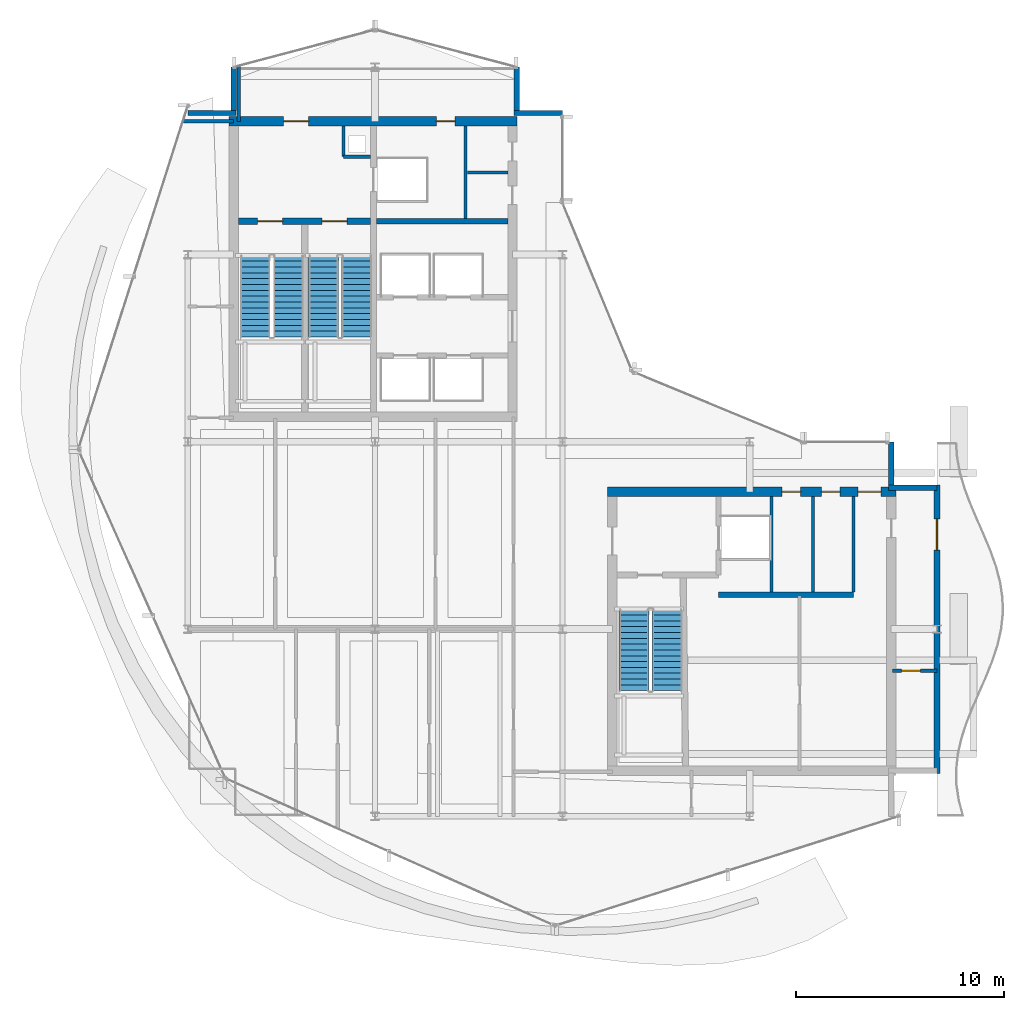
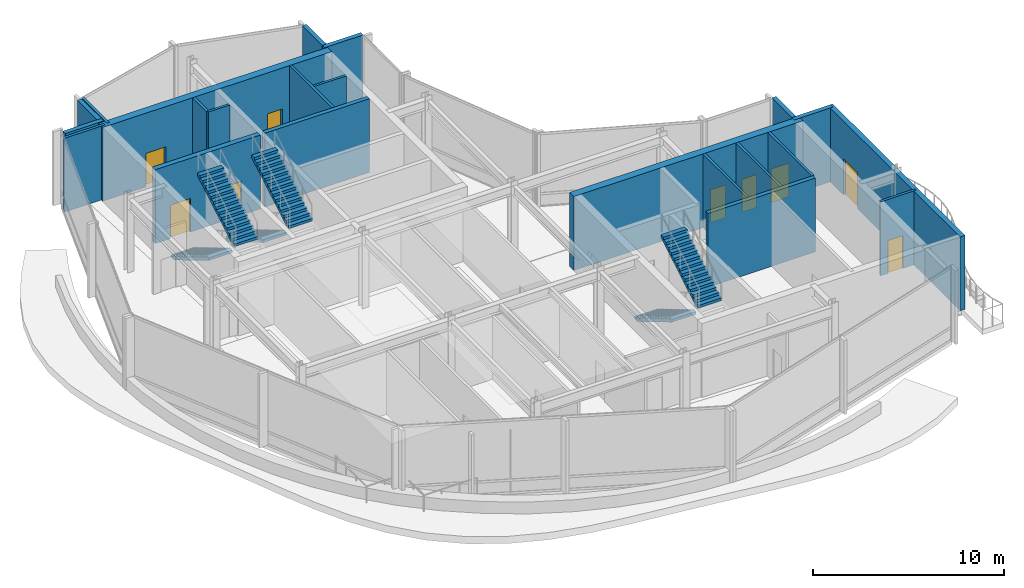
# One storey, part 18 of 23: 22 walls, 9 doors, 6 stair flights, 9 openings, 3 elements without a shape of their own.
"""IFC4 building model written with IfcOpenShell, lengths in metres."""

from ifc_helpers import new_model, si_unit, direction, frame, frame_2d, origin, place, context, subcontext, project, spatial, polyline, rectangle, outline, extrude, material, layer, layer_set, type_object, element, fill, aggregate, save


model = new_model("IFC4")

# Units and contexts
model_context = context("Model", 3, precision=1e-05, world=origin(), true_north=direction((0.0, 1.0)))
body_context = subcontext(model_context, "Body", "Model", "MODEL_VIEW")
ifc_project = project(units=[si_unit("LENGTHUNIT", "METRE"), si_unit("AREAUNIT", "SQUARE_METRE"), si_unit("VOLUMEUNIT", "CUBIC_METRE"), si_unit("PLANEANGLEUNIT", "RADIAN"), si_unit("MASSUNIT", "GRAM", prefix="KILO")], contexts=[model_context])

# Site, building, storey
site_placement = place(None, origin())
site = spatial("IfcSite", under=ifc_project, at=site_placement, CompositionType="ELEMENT")
building_placement = place(site_placement, origin())
building = spatial("IfcBuilding", under=site, at=building_placement, Name="Solvaryn Broadcast Tower", CompositionType="ELEMENT")
storey_placement = place(building_placement, frame((0.0, 0.0, 235.800048828125)))
storey = spatial("IfcBuildingStorey", under=building, at=storey_placement, Name="L59", CompositionType="ELEMENT", Elevation=235.800048828125)

# Wall, openings, doors
ifc_material_1 = material(Name="Concrete f'c 70 MPa", Category="concrete")
ifc_layer_1 = layer(ifc_material_1, 0.449951171875)
ifc_layer_set_1 = layer_set([ifc_layer_1], Name="CW-SHEAR-450")
wall_type_1 = type_object("IfcWallType", Name="CW-SHEAR-450", PredefinedType="SHEAR", material=ifc_layer_set_1)
wall_1_placement = place(storey_placement, frame((24.824951171875, 42.39990234375, 0.0), z_axis=(0.0, 0.0, 1.0), x_axis=(-1.0, 0.0, 0.0)))
wall_1 = element("IfcWall", 1, at=wall_1_placement, inside=storey, type_object=wall_type_1, Name="L59 West Core North Shear Wall", PredefinedType="SHEAR", context=body_context, shape_type="SweptSolid", body=[
    extrude(rectangle(XDim=13.849853515625, YDim=0.449951171875, at=frame_2d((6.9248046875, 0.0))), origin(), (0.0, 0.0, 1.0), 4.719970703125),
])
opening_1_placement = place(wall_1_placement, frame((10.02490234375, 0.0, 0.0)))
opening_1 = element("IfcOpeningElement", 2, at=opening_1_placement, cuts=wall_1, Name="Opening FD90A", PredefinedType="OPENING", context=body_context, shape_type="SweptSolid", body=[
    extrude(rectangle(XDim=1.199951171875, YDim=2.14990234375, at=frame_2d((0.60009765625, 1.074951171875))), frame((0.0, 0.235107421875, 0.0), z_axis=(0.0, -1.0, 0.0), x_axis=(1.0, 0.0, 0.0)), (0.0, 0.0, 1.0), 0.469970703125),
])
opening_2_placement = place(wall_1_placement, frame((2.97509765625, 0.0, 0.0)))
opening_2 = element("IfcOpeningElement", 3, at=opening_2_placement, cuts=wall_1, Name="Opening FD60C", PredefinedType="OPENING", context=body_context, shape_type="SweptSolid", body=[
    extrude(rectangle(XDim=0.89990234375, YDim=2.10009765625, at=frame_2d((0.449951171875, 1.050048828125))), frame((0.0, 0.235107421875, 0.0), z_axis=(0.0, -1.0, 0.0), x_axis=(1.0, 0.0, 0.0)), (0.0, 0.0, 1.0), 0.469970703125),
])
ifc_material_2 = material(Name="Flush Acoustic Steel and Timber Door Assembly", Category="steel")
door_type_1 = type_object("IfcDoorType", Name="FD60-SERV-900X2100", OperationType="NOTDEFINED", PredefinedType="DOOR", material=ifc_material_2)
door_1_placement = place(opening_2_placement, origin())
door_1 = element("IfcDoor", 4, at=door_1_placement, inside=storey, type_object=door_type_1, Name="L59 West Core Fiber Riser Door", OperationType="SINGLE_SWING_RIGHT", OverallHeight=2.10009765625, OverallWidth=0.89990234375, PredefinedType="DOOR", context=body_context, shape_type="SweptSolid", body=[
    extrude(rectangle(XDim=0.89990234375, YDim=2.10009765625, at=frame_2d((0.449951171875, 1.050048828125))), frame((0.0, 0.02490234375, 0.0), z_axis=(0.0, -1.0, 0.0), x_axis=(1.0, 0.0, 0.0)), (0.0, 0.0, 1.0), 0.050048828125),
])
fill(opening_2, door_1)
ifc_material_3 = material(Name="Flush Acoustic Steel and Timber Door Assembly", Category="steel")
door_type_2 = type_object("IfcDoorType", Name="FD90-STAIR-1200X2150", OperationType="NOTDEFINED", PredefinedType="DOOR", material=ifc_material_3)
door_2_placement = place(opening_1_placement, origin())
door_2 = element("IfcDoor", 5, at=door_2_placement, inside=storey, type_object=door_type_2, Name="L59 West FSAE Lobby Corridor Door", OperationType="SINGLE_SWING_LEFT", OverallHeight=2.14990234375, OverallWidth=1.199951171875, PredefinedType="DOOR", context=body_context, shape_type="SweptSolid", body=[
    extrude(rectangle(XDim=1.199951171875, YDim=2.14990234375, at=frame_2d((0.60009765625, 1.074951171875))), frame((0.0, 0.02490234375, 0.0), z_axis=(0.0, -1.0, 0.0), x_axis=(1.0, 0.0, 0.0)), (0.0, 0.0, 1.0), 0.050048828125),
])
fill(opening_1, door_2)

wall_2_placement = place(storey_placement, frame((43.02490234375, 24.60009765625, 0.0), z_axis=(0.0, 0.0, 1.0), x_axis=(-1.0, 0.0, 0.0)))
wall_2 = element("IfcWall", 6, at=wall_2_placement, inside=storey, type_object=wall_type_1, Name="L59 East Core North Shear Wall", PredefinedType="SHEAR", context=body_context, shape_type="SweptSolid", body=[
    extrude(rectangle(XDim=13.849853515625, YDim=0.449951171875, at=frame_2d((6.9248046875, 0.0))), origin(), (0.0, 0.0, 1.0), 4.719970703125),
])
opening_3_placement = place(wall_2_placement, frame((0.72509765625, 0.0, 0.0)))
opening_3 = element("IfcOpeningElement", 7, at=opening_3_placement, cuts=wall_2, Name="Opening FD90C", PredefinedType="OPENING", context=body_context, shape_type="SweptSolid", body=[
    extrude(rectangle(XDim=1.10009765625, YDim=2.14990234375, at=frame_2d((0.550048828125, 1.074951171875))), frame((0.0, 0.235107421875, 0.0), z_axis=(0.0, -1.0, 0.0), x_axis=(1.0, 0.0, 0.0)), (0.0, 0.0, 1.0), 0.469970703125),
])
opening_4_placement = place(wall_2_placement, frame((2.675048828125, 0.0, 0.0)))
opening_4 = element("IfcOpeningElement", 8, at=opening_4_placement, cuts=wall_2, Name="Opening FD60C", PredefinedType="OPENING", context=body_context, shape_type="SweptSolid", body=[
    extrude(rectangle(XDim=0.89990234375, YDim=2.10009765625, at=frame_2d((0.449951171875, 1.050048828125))), frame((0.0, 0.235107421875, 0.0), z_axis=(0.0, -1.0, 0.0), x_axis=(1.0, 0.0, 0.0)), (0.0, 0.0, 1.0), 0.469970703125),
])
opening_5_placement = place(wall_2_placement, frame((4.574951171875, 0.0, 0.0)))
opening_5 = element("IfcOpeningElement", 9, at=opening_5_placement, cuts=wall_2, Name="Opening FD60C", PredefinedType="OPENING", context=body_context, shape_type="SweptSolid", body=[
    extrude(rectangle(XDim=0.89990234375, YDim=2.10009765625, at=frame_2d((0.449951171875, 1.050048828125))), frame((0.0, 0.235107421875, 0.0), z_axis=(0.0, -1.0, 0.0), x_axis=(1.0, 0.0, 0.0)), (0.0, 0.0, 1.0), 0.469970703125),
])
door_3_placement = place(opening_4_placement, origin())
door_3 = element("IfcDoor", 10, at=door_3_placement, inside=storey, type_object=door_type_1, Name="L59 Staff Restroom Door", OperationType="SINGLE_SWING_LEFT", OverallHeight=2.10009765625, OverallWidth=0.89990234375, PredefinedType="DOOR", context=body_context, shape_type="SweptSolid", body=[
    extrude(rectangle(XDim=0.89990234375, YDim=2.10009765625, at=frame_2d((0.449951171875, 1.050048828125))), frame((0.0, 0.02490234375, 0.0), z_axis=(0.0, -1.0, 0.0), x_axis=(1.0, 0.0, 0.0)), (0.0, 0.0, 1.0), 0.050048828125),
])
fill(opening_4, door_3)
door_4_placement = place(opening_5_placement, origin())
door_4 = element("IfcDoor", 11, at=door_4_placement, inside=storey, type_object=door_type_1, Name="L59 Accessible WC Door", OperationType="SINGLE_SWING_RIGHT", OverallHeight=2.10009765625, OverallWidth=0.89990234375, PredefinedType="DOOR", context=body_context, shape_type="SweptSolid", body=[
    extrude(rectangle(XDim=0.89990234375, YDim=2.10009765625, at=frame_2d((0.449951171875, 1.050048828125))), frame((0.0, 0.02490234375, 0.0), z_axis=(0.0, -1.0, 0.0), x_axis=(1.0, 0.0, 0.0)), (0.0, 0.0, 1.0), 0.050048828125),
])
fill(opening_5, door_4)
ifc_material_4 = material(Name="Flush Acoustic Steel and Timber Door Assembly", Category="steel")
door_type_3 = type_object("IfcDoorType", Name="FD90-PLANT-1100X2150", OperationType="NOTDEFINED", PredefinedType="DOOR", material=ifc_material_4)
door_5_placement = place(opening_3_placement, origin())
door_5 = element("IfcDoor", 12, at=door_5_placement, inside=storey, type_object=door_type_3, Name="L59 East Core Lobby Corridor Door", OperationType="SINGLE_SWING_LEFT", OverallHeight=2.14990234375, OverallWidth=1.10009765625, PredefinedType="DOOR", context=body_context, shape_type="SweptSolid", body=[
    extrude(rectangle(XDim=1.10009765625, YDim=2.14990234375, at=frame_2d((0.550048828125, 1.074951171875))), frame((0.0, 0.02490234375, 0.0), z_axis=(0.0, -1.0, 0.0), x_axis=(1.0, 0.0, 0.0)), (0.0, 0.0, 1.0), 0.050048828125),
])
fill(opening_3, door_5)

# Walls
ifc_material_5 = material(Name="Concrete f'c 50 MPa", Category="concrete")
ifc_layer_2 = layer(ifc_material_5, 0.260009765625)
ifc_layer_set_2 = layer_set([ifc_layer_2], Name="EW-PIER-260")
wall_type_2 = type_object("IfcWallType", Name="EW-PIER-260", PredefinedType="SOLIDWALL", material=ifc_layer_set_2)
wall_3_placement = place(storey_placement, frame((9.0, 42.800048828125, 0.0), z_axis=(0.0, 0.0, 1.0), x_axis=(1.0, 0.0, 0.0)))
element("IfcWall", 13, at=wall_3_placement, inside=storey, type_object=wall_type_2, Name="L59 Notched Corner Pier Wall NNW1", PredefinedType="SOLIDWALL", context=body_context, shape_type="SweptSolid", body=[
    extrude(rectangle(XDim=2.320068359375, YDim=0.260009765625, at=frame_2d((1.16015625, 0.0))), origin(), (0.0, 0.0, 1.0), 4.719970703125),
])
for number, where, z_axis, x_axis, name in (
    (14, (11.199951171875, 42.919921875, 0.0), (0.0, 0.0, 1.0), (0.0, 1.0, 0.0), "L59 Notched Corner Pier Wall NNW2"),
    (15, (24.800048828125, 45.0, 0.0), (0.0, 0.0, 1.0), (0.0, -1.0, 0.0), "L59 Notched Corner Pier Wall NNE1"),
):
    element("IfcWall", number, at=place(storey_placement, frame(where, z_axis=z_axis, x_axis=x_axis)), inside=storey, type_object=wall_type_2, Name=name, PredefinedType="SOLIDWALL", context=body_context, shape_type="SweptSolid", body=[
        extrude(rectangle(XDim=2.080078125, YDim=0.260009765625, at=frame_2d((1.0400390625, 0.0))), origin(), (0.0, 0.0, 1.0), 4.719970703125),
    ])
for number, where, z_axis, x_axis, name in (
    (16, (24.679931640625, 42.800048828125, 0.0), (0.0, 0.0, 1.0), (1.0, 0.0, 0.0), "L59 Notched Corner Pier Wall NNE2"),
    (17, (45.0, 24.800048828125, 0.0), (0.0, 0.0, 1.0), (-1.0, 0.0, 0.0), "L59 Notched Corner Pier Wall NEE1"),
):
    element("IfcWall", number, at=place(storey_placement, frame(where, z_axis=z_axis, x_axis=x_axis)), inside=storey, type_object=wall_type_2, Name=name, PredefinedType="SOLIDWALL", context=body_context, shape_type="SweptSolid", body=[
        extrude(rectangle(XDim=2.320068359375, YDim=0.260009765625, at=frame_2d((1.16015625, 0.0))), origin(), (0.0, 0.0, 1.0), 4.719970703125),
    ])
wall_4_placement = place(storey_placement, frame((42.800048828125, 24.919921875, 0.0), z_axis=(0.0, 0.0, 1.0), x_axis=(0.0, 1.0, 0.0)))
element("IfcWall", 18, at=wall_4_placement, inside=storey, type_object=wall_type_2, Name="L59 Notched Corner Pier Wall NEE2", PredefinedType="SOLIDWALL", context=body_context, shape_type="SweptSolid", body=[
    extrude(rectangle(XDim=2.080078125, YDim=0.260009765625, at=frame_2d((1.0400390625, 0.0))), origin(), (0.0, 0.0, 1.0), 4.719970703125),
])

# Wall, opening, door
ifc_material_6 = material(Name="Concrete f'c 50 MPa", Category="concrete")
ifc_layer_3 = layer(ifc_material_6, 0.300048828125)
ifc_layer_set_3 = layer_set([ifc_layer_3], Name="EW-TER-300")
wall_type_3 = type_object("IfcWallType", Name="EW-TER-300", PredefinedType="SOLIDWALL", material=ifc_layer_set_3)
wall_5_placement = place(storey_placement, frame((45.0, 24.929931640625, 0.0), z_axis=(0.0, 0.0, 1.0), x_axis=(0.0, -1.0, 0.0)))
wall_5 = element("IfcWall", 19, at=wall_5_placement, inside=storey, type_object=wall_type_3, Name="L59 East Sky-Garden Wall", PredefinedType="SOLIDWALL", context=body_context, shape_type="SweptSolid", body=[
    extrude(rectangle(XDim=13.85986328125, YDim=0.300048828125, at=frame_2d((6.929931640625, 0.0))), origin(), (0.0, 0.0, 1.0), 4.719970703125),
])
opening_6_placement = place(wall_5_placement, frame((1.6298828125, 0.0, 0.0)))
opening_6 = element("IfcOpeningElement", 20, at=opening_6_placement, cuts=wall_5, Name="Opening EDS59", PredefinedType="OPENING", context=body_context, shape_type="SweptSolid", body=[
    extrude(rectangle(XDim=1.5, YDim=2.300048828125, at=frame_2d((0.75, 1.14990234375))), frame((0.0, 0.159912109375, 0.0), z_axis=(0.0, -1.0, 0.0), x_axis=(1.0, 0.0, 0.0)), (0.0, 0.0, 1.0), 0.320068359375),
])
ifc_material_7 = material(Name="Insulated Architectural Aluminium and Glazing", Category="aluminium")
door_type_4 = type_object("IfcDoorType", Name="ED-SKYG-1500X2300", OperationType="NOTDEFINED", PredefinedType="DOOR", material=ifc_material_7)
door_6_placement = place(opening_6_placement, origin())
door_6 = element("IfcDoor", 21, at=door_6_placement, inside=storey, type_object=door_type_4, Name="L59 East Sky-Garden Terrace Door", OperationType="SINGLE_SWING_RIGHT", OverallHeight=2.300048828125, OverallWidth=1.5, PredefinedType="DOOR", context=body_context, shape_type="SweptSolid", body=[
    extrude(rectangle(XDim=1.5, YDim=2.300048828125, at=frame_2d((0.75, 1.14990234375))), frame((0.0, 0.02490234375, 0.0), z_axis=(0.0, -1.0, 0.0), x_axis=(1.0, 0.0, 0.0)), (0.0, 0.0, 1.0), 0.050048828125),
])
fill(opening_6, door_6)

# Walls
ifc_material_8 = material(Name="Metal-Stud Service Core Partition")
ifc_layer_4 = layer(ifc_material_8, 0.14990234375)
ifc_layer_set_4 = layer_set([ifc_layer_4], Name="IW-PART-150")
wall_type_4 = type_object("IfcWallType", Name="IW-PART-150", PredefinedType="PARTITIONING", material=ifc_layer_set_4)
wall_6_placement = place(storey_placement, frame((16.47998046875, 40.699951171875, 0.0), z_axis=(0.0, 0.0, 1.0), x_axis=(1.0, 0.0, 0.0)))
element("IfcWall", 22, at=wall_6_placement, inside=storey, type_object=wall_type_4, Name="L59 West Core Riser Shaft South Wall", PredefinedType="PARTITIONING", context=body_context, shape_type="SweptSolid", body=[
    extrude(rectangle(XDim=1.2900390625, YDim=0.14990234375, at=frame_2d((0.64501953125, 0.0))), origin(), (0.0, 0.0, 1.0), 4.719970703125),
])
wall_7_placement = place(storey_placement, frame((16.47998046875, 40.699951171875, 0.0), z_axis=(0.0, 0.0, 1.0), x_axis=(0.0, 1.0, 0.0)))
element("IfcWall", 23, at=wall_7_placement, inside=storey, type_object=wall_type_4, Name="L59 West Core Riser Shaft West Wall", PredefinedType="PARTITIONING", context=body_context, shape_type="SweptSolid", body=[
    extrude(rectangle(XDim=1.47509765625, YDim=0.14990234375, at=frame_2d((0.737548828125, 0.0))), origin(), (0.0, 0.0, 1.0), 4.719970703125),
])
wall_8_placement = place(storey_placement, frame((22.35009765625, 37.72998046875, 0.0), z_axis=(0.0, 0.0, 1.0), x_axis=(0.0, 1.0, 0.0)))
element("IfcWall", 24, at=wall_8_placement, inside=storey, type_object=wall_type_4, Name="L59 Interior Partition IW-L59-CWS-V", PredefinedType="PARTITIONING", context=body_context, shape_type="SweptSolid", body=[
    extrude(rectangle(XDim=4.445068359375, YDim=0.14990234375, at=frame_2d((2.22265625, 0.0))), origin(), (0.0, 0.0, 1.0), 4.719970703125),
])
wall_9_placement = place(storey_placement, frame((22.429931640625, 39.949951171875, 0.0), z_axis=(0.0, 0.0, 1.0), x_axis=(1.0, 0.0, 0.0)))
element("IfcWall", 25, at=wall_9_placement, inside=storey, type_object=wall_type_4, Name="L59 Interior Partition IW-L59-CWS-H", PredefinedType="PARTITIONING", context=body_context, shape_type="SweptSolid", body=[
    extrude(rectangle(XDim=1.945068359375, YDim=0.14990234375, at=frame_2d((0.97265625, 0.0))), origin(), (0.0, 0.0, 1.0), 4.719970703125),
])
for number, where, z_axis, x_axis, name in (
    (26, (37.050048828125, 19.780029296875, 0.0), (0.0, 0.0, 1.0), (0.0, 1.0, 0.0), "L59 Interior Partition IW-L59-CE-FL2E"),
    (27, (39.050048828125, 19.780029296875, 0.0), (0.0, 0.0, 1.0), (0.0, 1.0, 0.0), "L59 Interior Partition IW-L59-CE-V1"),
    (28, (40.97998046875, 19.780029296875, 0.0), (0.0, 0.0, 1.0), (0.0, 1.0, 0.0), "L59 Interior Partition IW-L59-CE-V3"),
):
    element("IfcWall", number, at=place(storey_placement, frame(where, z_axis=z_axis, x_axis=x_axis)), inside=storey, type_object=wall_type_4, Name=name, PredefinedType="PARTITIONING", context=body_context, shape_type="SweptSolid", body=[
        extrude(rectangle(XDim=4.594970703125, YDim=0.14990234375, at=frame_2d((2.29736328125, 0.0))), origin(), (0.0, 0.0, 1.0), 4.719970703125),
    ])

# Wall, opening, door
wall_10_placement = place(storey_placement, frame((42.85009765625, 16.0, 0.0), z_axis=(0.0, 0.0, 1.0), x_axis=(1.0, 0.0, 0.0)))
wall_10 = element("IfcWall", 29, at=wall_10_placement, inside=storey, type_object=wall_type_4, Name="L59 Interior Partition IW-L59-E4M", PredefinedType="PARTITIONING", context=body_context, shape_type="SweptSolid", body=[
    extrude(rectangle(XDim=2.14990234375, YDim=0.14990234375, at=frame_2d((1.074951171875, 0.0))), origin(), (0.0, 0.0, 1.0), 4.719970703125),
])
opening_7_placement = place(wall_10_placement, frame((0.449951171875, 0.0, 0.0)))
opening_7 = element("IfcOpeningElement", 30, at=opening_7_placement, cuts=wall_10, Name="Opening FD60C", PredefinedType="OPENING", context=body_context, shape_type="SweptSolid", body=[
    extrude(rectangle(XDim=0.89990234375, YDim=2.10009765625, at=frame_2d((0.449951171875, 1.050048828125))), frame((0.0, 0.0849609375, 0.0), z_axis=(0.0, -1.0, 0.0), x_axis=(1.0, 0.0, 0.0)), (0.0, 0.0, 1.0), 0.169921875),
])
door_7_placement = place(opening_7_placement, origin())
door_7 = element("IfcDoor", 31, at=door_7_placement, inside=storey, type_object=door_type_1, Name="L59 Door DR-L59-E4M", OperationType="SINGLE_SWING_RIGHT", OverallHeight=2.10009765625, OverallWidth=0.89990234375, PredefinedType="DOOR", context=body_context, shape_type="SweptSolid", body=[
    extrude(rectangle(XDim=0.89990234375, YDim=2.10009765625, at=frame_2d((0.449951171875, 1.050048828125))), frame((0.0, 0.02490234375, 0.0), z_axis=(0.0, -1.0, 0.0), x_axis=(1.0, 0.0, 0.0)), (0.0, 0.0, 1.0), 0.050048828125),
])
fill(opening_7, door_7)

# Walls
ifc_material_9 = material(Name="Metal-Stud Gypsum Office Partition")
ifc_layer_5 = layer(ifc_material_9, 0.159912109375)
ifc_layer_set_5 = layer_set([ifc_layer_5], Name="IW-PART-160")
wall_type_5 = type_object("IfcWallType", Name="IW-PART-160", PredefinedType="PARTITIONING", material=ifc_layer_set_5)
wall_11_placement = place(storey_placement, frame((8.760986328125, 42.39990234375, 0.0), z_axis=(0.0, 0.0, 1.0), x_axis=(1.0, 0.0, 0.0)))
element("IfcWall", 32, at=wall_11_placement, inside=storey, type_object=wall_type_5, Name="L59 Interior Partition IW-L59-WM-N", PredefinedType="PARTITIONING", context=body_context, shape_type="SweptSolid", body=[
    extrude(rectangle(XDim=2.43896484375, YDim=0.159912109375, at=frame_2d((1.219482421875, 0.0))), origin(), (0.0, 0.0, 1.0), 4.719970703125),
])
wall_12_placement = place(storey_placement, frame((11.449951171875, 42.39990234375, 0.0), z_axis=(0.0, 0.0, 1.0), x_axis=(0.0, 1.0, 0.0)))
element("IfcWall", 33, at=wall_12_placement, inside=storey, type_object=wall_type_5, Name="L59 Interior Partition IW-L59-WM-E", PredefinedType="PARTITIONING", context=body_context, shape_type="SweptSolid", body=[
    extrude(rectangle(XDim=2.666015625, YDim=0.159912109375, at=frame_2d((1.3330078125, 0.0))), origin(), (0.0, 0.0, 1.0), 4.719970703125),
])
ifc_material_10 = material(Name="Concrete f'c 60 MPa", Category="concrete")
ifc_layer_6 = layer(ifc_material_10, 0.25)
ifc_layer_set_6 = layer_set([ifc_layer_6], Name="SW-SHAFT-250")
wall_type_6 = type_object("IfcWallType", Name="SW-SHAFT-250", PredefinedType="PARTITIONING", material=ifc_layer_set_6)
wall_13_placement = place(storey_placement, frame((18.070068359375, 37.60009765625, 0.0), z_axis=(0.0, 0.0, 1.0), x_axis=(1.0, 0.0, 0.0)))
element("IfcWall", 34, at=wall_13_placement, inside=storey, type_object=wall_type_6, Name="L59 West Core FSAE Hoistway Front Wall", PredefinedType="PARTITIONING", context=body_context, shape_type="SweptSolid", body=[
    extrude(rectangle(XDim=6.304931640625, YDim=0.25, at=frame_2d((3.15234375, 0.0))), origin(), (0.0, 0.0, 1.0), 4.719970703125),
])
wall_14_placement = place(storey_placement, frame((34.5, 19.64990234375, 0.0), z_axis=(0.0, 0.0, 1.0), x_axis=(1.0, 0.0, 0.0)))
element("IfcWall", 35, at=wall_14_placement, inside=storey, type_object=wall_type_6, Name="L59 East Core Restroom South Wall", PredefinedType="PARTITIONING", context=body_context, shape_type="SweptSolid", body=[
    extrude(rectangle(XDim=6.47998046875, YDim=0.25, at=frame_2d((3.239990234375, 0.0))), origin(), (0.0, 0.0, 1.0), 4.719970703125),
])

# Wall, openings, doors
ifc_material_11 = material(Name="Concrete f'c 70 MPa", Category="concrete")
ifc_layer_7 = layer(ifc_material_11, 0.300048828125)
ifc_layer_set_7 = layer_set([ifc_layer_7], Name="SW-SHAFT-300")
wall_type_7 = type_object("IfcWallType", Name="SW-SHAFT-300", PredefinedType="SHEAR", material=ifc_layer_set_7)
wall_15_placement = place(storey_placement, frame((17.77001953125, 37.60009765625, 0.0), z_axis=(0.0, 0.0, 1.0), x_axis=(-1.0, 0.0, 0.0)))
wall_15 = element("IfcWall", 36, at=wall_15_placement, inside=storey, type_object=wall_type_7, Name="L59 West Core FSAE Lobby South Wall", PredefinedType="SHEAR", context=body_context, shape_type="SweptSolid", body=[
    extrude(rectangle(XDim=6.344970703125, YDim=0.300048828125, at=frame_2d((3.17236328125, 0.0))), origin(), (0.0, 0.0, 1.0), 4.719970703125),
])
opening_8_placement = place(wall_15_placement, frame((4.219970703125, 0.0, 0.0)))
opening_8 = element("IfcOpeningElement", 37, at=opening_8_placement, cuts=wall_15, Name="Opening FD90A", PredefinedType="OPENING", context=body_context, shape_type="SweptSolid", body=[
    extrude(rectangle(XDim=1.199951171875, YDim=2.14990234375, at=frame_2d((0.60009765625, 1.074951171875))), frame((0.0, 0.159912109375, 0.0), z_axis=(0.0, -1.0, 0.0), x_axis=(1.0, 0.0, 0.0)), (0.0, 0.0, 1.0), 0.320068359375),
])
opening_9_placement = place(wall_15_placement, frame((1.1201171875, 0.0, 0.0)))
opening_9 = element("IfcOpeningElement", 38, at=opening_9_placement, cuts=wall_15, Name="Opening FD90A", PredefinedType="OPENING", context=body_context, shape_type="SweptSolid", body=[
    extrude(rectangle(XDim=1.199951171875, YDim=2.14990234375, at=frame_2d((0.60009765625, 1.074951171875))), frame((0.0, 0.159912109375, 0.0), z_axis=(0.0, -1.0, 0.0), x_axis=(1.0, 0.0, 0.0)), (0.0, 0.0, 1.0), 0.320068359375),
])
door_8_placement = place(opening_8_placement, origin())
door_8 = element("IfcDoor", 39, at=door_8_placement, inside=storey, type_object=door_type_2, Name="L59 Stair 1 Fire Door", OperationType="SINGLE_SWING_LEFT", OverallHeight=2.14990234375, OverallWidth=1.199951171875, PredefinedType="DOOR", context=body_context, shape_type="SweptSolid", body=[
    extrude(rectangle(XDim=1.199951171875, YDim=2.14990234375, at=frame_2d((0.60009765625, 1.074951171875))), frame((0.0, 0.02490234375, 0.0), z_axis=(0.0, -1.0, 0.0), x_axis=(1.0, 0.0, 0.0)), (0.0, 0.0, 1.0), 0.050048828125),
])
fill(opening_8, door_8)
door_9_placement = place(opening_9_placement, origin())
door_9 = element("IfcDoor", 40, at=door_9_placement, inside=storey, type_object=door_type_2, Name="L59 Stair 2 Fire Door", OperationType="SINGLE_SWING_RIGHT", OverallHeight=2.14990234375, OverallWidth=1.199951171875, PredefinedType="DOOR", context=body_context, shape_type="SweptSolid", body=[
    extrude(rectangle(XDim=1.199951171875, YDim=2.14990234375, at=frame_2d((0.60009765625, 1.074951171875))), frame((0.0, 0.02490234375, 0.0), z_axis=(0.0, -1.0, 0.0), x_axis=(1.0, 0.0, 0.0)), (0.0, 0.0, 1.0), 0.050048828125),
])
fill(opening_9, door_9)

# Stair, stair flights
ifc_material_12 = material(Name="Concrete f'c 60 MPa", Category="concrete")
stair_type = type_object("IfcStairType", Name="ST-CORE", PredefinedType="HALF_TURN_STAIR", material=ifc_material_12)
stair_1_placement = place(storey_placement, origin())
stair_1 = element("IfcStair", 41, at=stair_1_placement, inside=storey, type_object=stair_type, Name="L59 ST1", PredefinedType="HALF_TURN_STAIR")
ifc_material_13 = material(Name="Concrete f'c 60 MPa", Category="concrete")
ifc_layer_8 = layer(ifc_material_13, 0.159912109375)
ifc_layer_set_8 = layer_set([ifc_layer_8], Name="SF-CORE")
stair_flight_type = type_object("IfcStairFlightType", Name="SF-CORE", PredefinedType="STRAIGHT", material=ifc_layer_set_8)
stair_flight_1_placement = place(storey_placement, frame((12.239990234375, 35.9599609375, 0.0), z_axis=(0.0, 0.0, 1.0), x_axis=(0.0, -1.0, 0.0)))
stair_flight_1 = element("IfcStairFlight", 42, at=stair_flight_1_placement, type_object=stair_flight_type, Name="ST1 flight 1", NumberOfRisers=15, NumberOfTreads=14, PredefinedType="STRAIGHT", RiserHeight=0.166666667, TreadLength=0.28, context=body_context, shape_type="SweptSolid", body=[
    extrude(outline(polyline([(0.0, 0.0), (0.0, 0.166748046875), (0.280029296875, 0.166748046875), (0.280029296875, 0.333251953125), (0.56005859375, 0.333251953125), (0.56005859375, 0.5), (0.840087890625, 0.5), (0.840087890625, 0.666748046875), (1.1201171875, 0.666748046875), (1.1201171875, 0.833251953125), (1.39990234375, 0.833251953125), (1.39990234375, 1.0), (1.679931640625, 1.0), (1.679931640625, 1.166748046875), (1.9599609375, 1.166748046875), (1.9599609375, 1.333251953125), (2.239990234375, 1.333251953125), (2.239990234375, 1.5), (2.52001953125, 1.5), (2.52001953125, 1.666748046875), (2.800048828125, 1.666748046875), (2.800048828125, 1.833251953125), (3.080078125, 1.833251953125), (3.080078125, 2.0), (3.360107421875, 2.0), (3.360107421875, 2.166748046875), (3.639892578125, 2.166748046875), (3.639892578125, 2.333251953125), (3.919921875, 2.333251953125), (3.919921875, 2.5), (3.919921875, 2.158935546875), (0.29296875, 0.0), (0.0, 0.0)])), frame((0.0, 0.719970703125, 0.0), z_axis=(0.0, -1.0, 0.0), x_axis=(1.0, 0.0, 0.0)), (0.0, 0.0, 1.0), 1.43994140625),
])
stair_flight_2_placement = place(storey_placement, frame((13.830078125, 32.0400390625, 2.5), z_axis=(0.0, 0.0, 1.0), x_axis=(0.0, 1.0, 0.0)))
stair_flight_2 = element("IfcStairFlight", 43, at=stair_flight_2_placement, type_object=stair_flight_type, Name="ST1 flight 2", NumberOfRisers=15, NumberOfTreads=14, PredefinedType="STRAIGHT", RiserHeight=0.166666667, TreadLength=0.28, context=body_context, shape_type="SweptSolid", body=[
    extrude(outline(polyline([(0.0, 0.0), (0.0, 0.166748046875), (0.280029296875, 0.166748046875), (0.280029296875, 0.333251953125), (0.56005859375, 0.333251953125), (0.56005859375, 0.5), (0.840087890625, 0.5), (0.840087890625, 0.666748046875), (1.1201171875, 0.666748046875), (1.1201171875, 0.833251953125), (1.39990234375, 0.833251953125), (1.39990234375, 1.0), (1.679931640625, 1.0), (1.679931640625, 1.166748046875), (1.9599609375, 1.166748046875), (1.9599609375, 1.333251953125), (2.239990234375, 1.333251953125), (2.239990234375, 1.5), (2.52001953125, 1.5), (2.52001953125, 1.666748046875), (2.800048828125, 1.666748046875), (2.800048828125, 1.833251953125), (3.080078125, 1.833251953125), (3.080078125, 2.0), (3.360107421875, 2.0), (3.360107421875, 2.166748046875), (3.639892578125, 2.166748046875), (3.639892578125, 2.333251953125), (3.919921875, 2.333251953125), (3.919921875, 2.5), (3.919921875, 2.158935546875), (0.29296875, 0.0), (0.0, 0.0)])), frame((0.0, 0.719970703125, 0.0), z_axis=(0.0, -1.0, 0.0), x_axis=(1.0, 0.0, 0.0)), (0.0, 0.0, 1.0), 1.43994140625),
])
aggregate(stair_1, [stair_flight_1, stair_flight_2])

stair_2_placement = place(storey_placement, origin())
stair_2 = element("IfcStair", 44, at=stair_2_placement, inside=storey, type_object=stair_type, Name="L59 ST2", PredefinedType="HALF_TURN_STAIR")
stair_flight_3_placement = place(storey_placement, frame((15.52001953125, 35.9599609375, 0.0), z_axis=(0.0, 0.0, 1.0), x_axis=(0.0, -1.0, 0.0)))
stair_flight_3 = element("IfcStairFlight", 45, at=stair_flight_3_placement, type_object=stair_flight_type, Name="ST2 flight 1", NumberOfRisers=15, NumberOfTreads=14, PredefinedType="STRAIGHT", RiserHeight=0.166666667, TreadLength=0.28, context=body_context, shape_type="SweptSolid", body=[
    extrude(outline(polyline([(0.0, 0.0), (0.0, 0.166748046875), (0.280029296875, 0.166748046875), (0.280029296875, 0.333251953125), (0.56005859375, 0.333251953125), (0.56005859375, 0.5), (0.840087890625, 0.5), (0.840087890625, 0.666748046875), (1.1201171875, 0.666748046875), (1.1201171875, 0.833251953125), (1.39990234375, 0.833251953125), (1.39990234375, 1.0), (1.679931640625, 1.0), (1.679931640625, 1.166748046875), (1.9599609375, 1.166748046875), (1.9599609375, 1.333251953125), (2.239990234375, 1.333251953125), (2.239990234375, 1.5), (2.52001953125, 1.5), (2.52001953125, 1.666748046875), (2.800048828125, 1.666748046875), (2.800048828125, 1.833251953125), (3.080078125, 1.833251953125), (3.080078125, 2.0), (3.360107421875, 2.0), (3.360107421875, 2.166748046875), (3.639892578125, 2.166748046875), (3.639892578125, 2.333251953125), (3.919921875, 2.333251953125), (3.919921875, 2.5), (3.919921875, 2.158935546875), (0.29296875, 0.0), (0.0, 0.0)])), frame((0.0, 0.719970703125, 0.0), z_axis=(0.0, -1.0, 0.0), x_axis=(1.0, 0.0, 0.0)), (0.0, 0.0, 1.0), 1.43994140625),
])
stair_flight_4_placement = place(storey_placement, frame((17.110107421875, 32.0400390625, 2.5), z_axis=(0.0, 0.0, 1.0), x_axis=(0.0, 1.0, 0.0)))
stair_flight_4 = element("IfcStairFlight", 46, at=stair_flight_4_placement, type_object=stair_flight_type, Name="ST2 flight 2", NumberOfRisers=15, NumberOfTreads=14, PredefinedType="STRAIGHT", RiserHeight=0.166666667, TreadLength=0.28, context=body_context, shape_type="SweptSolid", body=[
    extrude(outline(polyline([(0.0, 0.0), (0.0, 0.166748046875), (0.280029296875, 0.166748046875), (0.280029296875, 0.333251953125), (0.56005859375, 0.333251953125), (0.56005859375, 0.5), (0.840087890625, 0.5), (0.840087890625, 0.666748046875), (1.1201171875, 0.666748046875), (1.1201171875, 0.833251953125), (1.39990234375, 0.833251953125), (1.39990234375, 1.0), (1.679931640625, 1.0), (1.679931640625, 1.166748046875), (1.9599609375, 1.166748046875), (1.9599609375, 1.333251953125), (2.239990234375, 1.333251953125), (2.239990234375, 1.5), (2.52001953125, 1.5), (2.52001953125, 1.666748046875), (2.800048828125, 1.666748046875), (2.800048828125, 1.833251953125), (3.080078125, 1.833251953125), (3.080078125, 2.0), (3.360107421875, 2.0), (3.360107421875, 2.166748046875), (3.639892578125, 2.166748046875), (3.639892578125, 2.333251953125), (3.919921875, 2.333251953125), (3.919921875, 2.5), (3.919921875, 2.158935546875), (0.29296875, 0.0), (0.0, 0.0)])), frame((0.0, 0.719970703125, 0.0), z_axis=(0.0, -1.0, 0.0), x_axis=(1.0, 0.0, 0.0)), (0.0, 0.0, 1.0), 1.43994140625),
])
aggregate(stair_2, [stair_flight_3, stair_flight_4])

stair_3_placement = place(storey_placement, origin())
stair_3 = element("IfcStair", 47, at=stair_3_placement, inside=storey, type_object=stair_type, Name="L59 ST3", PredefinedType="HALF_TURN_STAIR")
stair_flight_5_placement = place(storey_placement, frame((30.43994140625, 18.9599609375, 0.0), z_axis=(0.0, 0.0, 1.0), x_axis=(0.0, -1.0, 0.0)))
stair_flight_5 = element("IfcStairFlight", 48, at=stair_flight_5_placement, type_object=stair_flight_type, Name="ST3 flight 1", NumberOfRisers=15, NumberOfTreads=14, PredefinedType="STRAIGHT", RiserHeight=0.166666667, TreadLength=0.28, context=body_context, shape_type="SweptSolid", body=[
    extrude(outline(polyline([(0.0, 0.0), (0.0, 0.166748046875), (0.280029296875, 0.166748046875), (0.280029296875, 0.333251953125), (0.56005859375, 0.333251953125), (0.56005859375, 0.5), (0.840087890625, 0.5), (0.840087890625, 0.666748046875), (1.1201171875, 0.666748046875), (1.1201171875, 0.833251953125), (1.39990234375, 0.833251953125), (1.39990234375, 1.0), (1.679931640625, 1.0), (1.679931640625, 1.166748046875), (1.9599609375, 1.166748046875), (1.9599609375, 1.333251953125), (2.239990234375, 1.333251953125), (2.239990234375, 1.5), (2.52001953125, 1.5), (2.52001953125, 1.666748046875), (2.800048828125, 1.666748046875), (2.800048828125, 1.833251953125), (3.080078125, 1.833251953125), (3.080078125, 2.0), (3.360107421875, 2.0), (3.360107421875, 2.166748046875), (3.639892578125, 2.166748046875), (3.639892578125, 2.333251953125), (3.919921875, 2.333251953125), (3.919921875, 2.5), (3.919921875, 2.158935546875), (0.29296875, 0.0), (0.0, 0.0)])), frame((0.0, 0.719970703125, 0.0), z_axis=(0.0, -1.0, 0.0), x_axis=(1.0, 0.0, 0.0)), (0.0, 0.0, 1.0), 1.43994140625),
])
stair_flight_6_placement = place(storey_placement, frame((32.030029296875, 15.0400390625, 2.5), z_axis=(0.0, 0.0, 1.0), x_axis=(0.0, 1.0, 0.0)))
stair_flight_6 = element("IfcStairFlight", 49, at=stair_flight_6_placement, type_object=stair_flight_type, Name="ST3 flight 2", NumberOfRisers=15, NumberOfTreads=14, PredefinedType="STRAIGHT", RiserHeight=0.166666667, TreadLength=0.28, context=body_context, shape_type="SweptSolid", body=[
    extrude(outline(polyline([(0.0, 0.0), (0.0, 0.166748046875), (0.280029296875, 0.166748046875), (0.280029296875, 0.333251953125), (0.56005859375, 0.333251953125), (0.56005859375, 0.5), (0.840087890625, 0.5), (0.840087890625, 0.666748046875), (1.1201171875, 0.666748046875), (1.1201171875, 0.833251953125), (1.39990234375, 0.833251953125), (1.39990234375, 1.0), (1.679931640625, 1.0), (1.679931640625, 1.166748046875), (1.9599609375, 1.166748046875), (1.9599609375, 1.333251953125), (2.239990234375, 1.333251953125), (2.239990234375, 1.5), (2.52001953125, 1.5), (2.52001953125, 1.666748046875), (2.800048828125, 1.666748046875), (2.800048828125, 1.833251953125), (3.080078125, 1.833251953125), (3.080078125, 2.0), (3.360107421875, 2.0), (3.360107421875, 2.166748046875), (3.639892578125, 2.166748046875), (3.639892578125, 2.333251953125), (3.919921875, 2.333251953125), (3.919921875, 2.5), (3.919921875, 2.158935546875), (0.29296875, 0.0), (0.0, 0.0)])), frame((0.0, 0.719970703125, 0.0), z_axis=(0.0, -1.0, 0.0), x_axis=(1.0, 0.0, 0.0)), (0.0, 0.0, 1.0), 1.43994140625),
])
aggregate(stair_3, [stair_flight_5, stair_flight_6])

save(model, "model.ifc")
